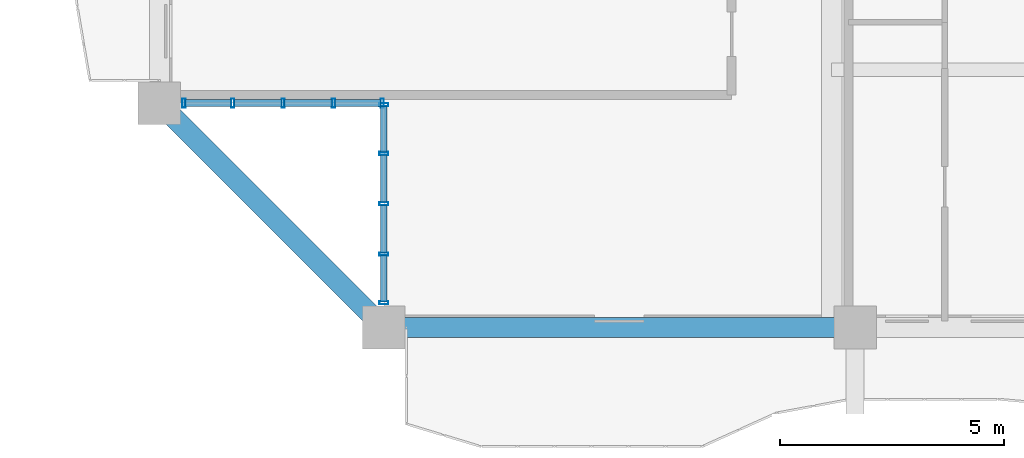
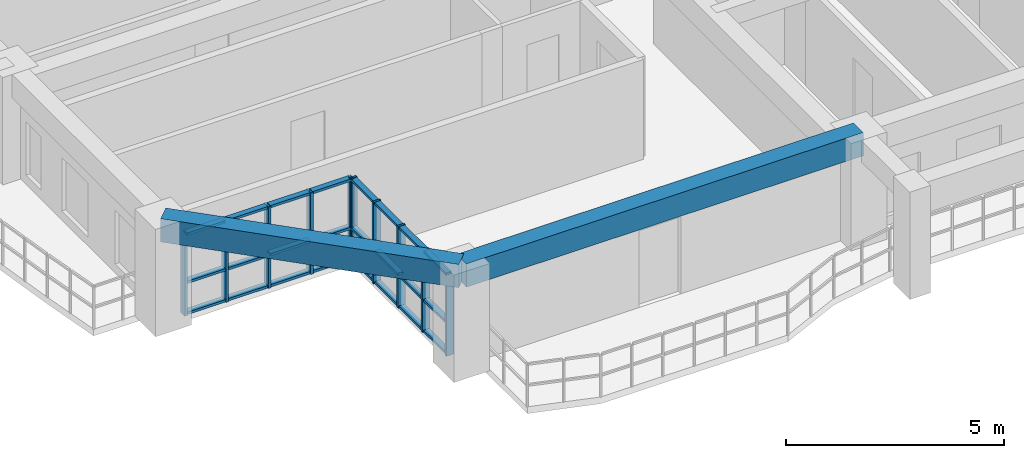
# One storey, part 2 of 24: 34 members, 2 beams, 2 elements without a shape of their own.
"""IFC4 building model written with IfcOpenShell, lengths in metres."""

from ifc_helpers import new_model, si_unit, direction, frame, origin, origin_2d, place, context, subcontext, project, spatial, rectangle, hollow_rectangle, extrude, source, transform, mapped, material, layer, layer_set, material_profile, profile_set, type_object, element, aggregate, save


model = new_model("IFC4")

# Units and contexts
model_context = context("Model", 3, precision=1e-05, world=origin(), true_north=direction((0.0, 1.0)))
body_context = subcontext(model_context, "Body", "Model", "MODEL_VIEW")
ifc_project = project(units=[si_unit("LENGTHUNIT", "METRE"), si_unit("AREAUNIT", "SQUARE_METRE"), si_unit("VOLUMEUNIT", "CUBIC_METRE"), si_unit("PLANEANGLEUNIT", "RADIAN"), si_unit("MASSUNIT", "GRAM", prefix="KILO")], contexts=[model_context])

# Site, building, storey
site_placement = place(None, origin())
site = spatial("IfcSite", under=ifc_project, at=site_placement, CompositionType="ELEMENT")
building_placement = place(site_placement, origin())
building = spatial("IfcBuilding", under=site, at=building_placement, Name="Saelheon Loggia Tower", CompositionType="ELEMENT")
storey_placement = place(building_placement, frame((0.0, 0.0, 166.0)))
storey = spatial("IfcBuildingStorey", under=building, at=storey_placement, Name="L52", CompositionType="ELEMENT", Elevation=166.0)

# Beams
ifc_material_1 = material(Name="Concrete C40/50", Category="concrete")
ifc_material_profile_1 = material_profile(ifc_material_1, rectangle(XDim=0.449951171875, YDim=0.64990234375, at=origin_2d()), Name="RC-450x650")
ifc_profile_set_1 = profile_set([ifc_material_profile_1], Name="Concrete C40/50")
beam_type = type_object("IfcBeamType", Name="Beam_PerimTower_RC450x650", PredefinedType="BEAM", material=ifc_profile_set_1)
shared_shape_1 = source(origin(), body_context, "Body", "SweptSolid", [
    extrude(rectangle(XDim=0.449951171875, YDim=0.64990234375, at=origin_2d()), origin(), (0.0, 0.0, 1.0), 10.5),
])
beam_1_placement = place(storey_placement, frame((21.0, 6.0, 2.675048828125), z_axis=(1.0, 0.0, 0.0), x_axis=(0.0, 1.0, 0.0)))
element("IfcBeam", 1, at=beam_1_placement, inside=storey, type_object=beam_type, Name="L52 Perimeter Frame Girder 01", PredefinedType="BEAM", context=body_context, shape_type="MappedRepresentation", body=[
    mapped(shared_shape_1, transform((0.0, 0.0, 0.0), scale=1.0)),
])
shared_shape_2 = source(origin(), body_context, "Body", "SweptSolid", [
    extrude(rectangle(XDim=0.449951171875, YDim=0.64990234375, at=origin_2d()), origin(), (0.0, 0.0, 1.0), 7.071044921875),
])
beam_2_placement = place(storey_placement, frame((16.0, 11.0, 2.675048828125), z_axis=(0.707106781187, -0.707106781187, 0.0), x_axis=(0.707106781187, 0.707106781187, 0.0)))
element("IfcBeam", 2, at=beam_2_placement, inside=storey, type_object=beam_type, Name="L52 Perimeter Frame Girder 16", PredefinedType="BEAM", context=body_context, shape_type="MappedRepresentation", body=[
    mapped(shared_shape_2, transform((0.0, 0.0, 0.0), scale=1.0)),
])

# Curtain wall, members
ifc_material_2 = material(Name="High-Wind Aluminium and Triple Laminated Glass", Category="aluminium")
ifc_layer = layer(ifc_material_2, 0.179931640625)
ifc_layer_set = layer_set([ifc_layer], Name="High-Wind Aluminium and Triple Laminated Glass")
curtain_wall_type = type_object("IfcCurtainWallType", Name="CW_TowerLoggiaHigh", PredefinedType="NOTDEFINED", material=ifc_layer_set)
curtain_wall_1_placement = place(storey_placement, origin())
curtain_wall_1 = element("IfcCurtainWall", 3, at=curtain_wall_1_placement, inside=storey, type_object=curtain_wall_type, Name="L52 Corner Notch Glazing SW1", PredefinedType="NOTDEFINED")
ifc_material_3 = material(Name="Anodised Aluminium 6063-T6", Category="aluminium")
ifc_material_profile_2 = material_profile(ifc_material_3, hollow_rectangle(XDim=0.070068359375, YDim=0.199951171875, WallThickness=0.0048828125, at=origin_2d()), Name="RHS-200x70x5")
ifc_profile_set_2 = profile_set([ifc_material_profile_2], Name="Anodised Aluminium 6063-T6")
member_type_1 = type_object("IfcMemberType", Name="CW_TowerLoggiaHigh_Mullion", PredefinedType="MULLION", material=ifc_profile_set_2)
shared_shape_3 = source(origin(), body_context, "Body", "SweptSolid", [
    extrude(hollow_rectangle(XDim=0.070068359375, YDim=0.199951171875, WallThickness=0.0048828125, at=origin_2d()), origin(), (0.0, 0.0, 1.0), 2.280029296875),
])
member_1_placement = place(storey_placement, frame((21.0, 6.550048828125, 0.0), z_axis=(0.0, 0.0, 1.0), x_axis=(0.0, 1.0, 0.0)))
member_1 = element("IfcMember", 4, at=member_1_placement, type_object=member_type_1, Name="CW4 mullion 1", PredefinedType="MULLION", context=body_context, shape_type="MappedRepresentation", body=[
    mapped(shared_shape_3, transform((0.0, 0.0, 0.0), scale=1.0)),
])
member_2_placement = place(storey_placement, frame((21.0, 7.63623046875, 0.0), z_axis=(0.0, 0.0, 1.0), x_axis=(0.0, 1.0, 0.0)))
member_2 = element("IfcMember", 5, at=member_2_placement, type_object=member_type_1, Name="CW4 mullion 2", PredefinedType="MULLION", context=body_context, shape_type="MappedRepresentation", body=[
    mapped(shared_shape_3, transform((0.0, 0.0, 0.0), scale=1.0)),
])
member_3_placement = place(storey_placement, frame((21.0, 8.757568359375, 0.0), z_axis=(0.0, 0.0, 1.0), x_axis=(0.0, 1.0, 0.0)))
member_3 = element("IfcMember", 6, at=member_3_placement, type_object=member_type_1, Name="CW4 mullion 3", PredefinedType="MULLION", context=body_context, shape_type="MappedRepresentation", body=[
    mapped(shared_shape_3, transform((0.0, 0.0, 0.0), scale=1.0)),
])
member_4_placement = place(storey_placement, frame((21.0, 9.878662109375, 0.0), z_axis=(0.0, 0.0, 1.0), x_axis=(0.0, 1.0, 0.0)))
member_4 = element("IfcMember", 7, at=member_4_placement, type_object=member_type_1, Name="CW4 mullion 4", PredefinedType="MULLION", context=body_context, shape_type="MappedRepresentation", body=[
    mapped(shared_shape_3, transform((0.0, 0.0, 0.0), scale=1.0)),
])
member_5_placement = place(storey_placement, frame((21.0, 10.965087890625, 0.0), z_axis=(0.0, 0.0, 1.0), x_axis=(0.0, 1.0, 0.0)))
member_5 = element("IfcMember", 8, at=member_5_placement, type_object=member_type_1, Name="CW4 mullion 5", PredefinedType="MULLION", context=body_context, shape_type="MappedRepresentation", body=[
    mapped(shared_shape_3, transform((0.0, 0.0, 0.0), scale=1.0)),
])

curtain_wall_2_placement = place(storey_placement, origin())
curtain_wall_2 = element("IfcCurtainWall", 9, at=curtain_wall_2_placement, inside=storey, type_object=curtain_wall_type, Name="L52 Corner Notch Glazing SW2", PredefinedType="NOTDEFINED")
member_6_placement = place(storey_placement, frame((16.550048828125, 11.0, 0.0), z_axis=(0.0, 0.0, 1.0), x_axis=(1.0, 0.0, 0.0)))
member_6 = element("IfcMember", 10, at=member_6_placement, type_object=member_type_1, Name="CW4 mullion 1", PredefinedType="MULLION", context=body_context, shape_type="MappedRepresentation", body=[
    mapped(shared_shape_3, transform((0.0, 0.0, 0.0), scale=1.0)),
])
member_7_placement = place(storey_placement, frame((17.63623046875, 11.0, 0.0), z_axis=(0.0, 0.0, 1.0), x_axis=(1.0, 0.0, 0.0)))
member_7 = element("IfcMember", 11, at=member_7_placement, type_object=member_type_1, Name="CW4 mullion 2", PredefinedType="MULLION", context=body_context, shape_type="MappedRepresentation", body=[
    mapped(shared_shape_3, transform((0.0, 0.0, 0.0), scale=1.0)),
])
member_8_placement = place(storey_placement, frame((18.757568359375, 11.0, 0.0), z_axis=(0.0, 0.0, 1.0), x_axis=(1.0, 0.0, 0.0)))
member_8 = element("IfcMember", 12, at=member_8_placement, type_object=member_type_1, Name="CW4 mullion 3", PredefinedType="MULLION", context=body_context, shape_type="MappedRepresentation", body=[
    mapped(shared_shape_3, transform((0.0, 0.0, 0.0), scale=1.0)),
])
member_9_placement = place(storey_placement, frame((19.878662109375, 11.0, 0.0), z_axis=(0.0, 0.0, 1.0), x_axis=(1.0, 0.0, 0.0)))
member_9 = element("IfcMember", 13, at=member_9_placement, type_object=member_type_1, Name="CW4 mullion 4", PredefinedType="MULLION", context=body_context, shape_type="MappedRepresentation", body=[
    mapped(shared_shape_3, transform((0.0, 0.0, 0.0), scale=1.0)),
])
member_10_placement = place(storey_placement, frame((20.965087890625, 11.0, 0.0), z_axis=(0.0, 0.0, 1.0), x_axis=(1.0, 0.0, 0.0)))
member_10 = element("IfcMember", 14, at=member_10_placement, type_object=member_type_1, Name="CW4 mullion 5", PredefinedType="MULLION", context=body_context, shape_type="MappedRepresentation", body=[
    mapped(shared_shape_3, transform((0.0, 0.0, 0.0), scale=1.0)),
])

# Member
ifc_material_profile_3 = material_profile(ifc_material_3, hollow_rectangle(XDim=0.070068359375, YDim=0.14990234375, WallThickness=0.0048828125, at=origin_2d()), Name="RHS-150x70x5")
ifc_profile_set_3 = profile_set([ifc_material_profile_3], Name="Anodised Aluminium 6063-T6")
member_type_2 = type_object("IfcMemberType", Name="CW_TowerLoggiaHigh_Transom", PredefinedType="USERDEFINED", material=ifc_profile_set_3)
shared_shape_4 = source(origin(), body_context, "Body", "SweptSolid", [
    extrude(hollow_rectangle(XDim=0.070068359375, YDim=0.14990234375, WallThickness=0.0048828125, at=origin_2d()), origin(), (0.0, 0.0, 1.0), 1.016357421875),
])
member_11_placement = place(storey_placement, frame((21.0, 6.5849609375, 0.034912109375), z_axis=(0.0, 1.0, 0.0), x_axis=(0.0, 0.0, 1.0)))
member_11 = element("IfcMember", 15, at=member_11_placement, type_object=member_type_2, Name="CW4 transom 1.1", ObjectType="TRANSOM", PredefinedType="USERDEFINED", context=body_context, shape_type="MappedRepresentation", body=[
    mapped(shared_shape_4, transform((0.0, 0.0, 0.0), scale=1.0)),
])

member_12_placement = place(storey_placement, frame((21.0, 6.5849609375, 0.89990234375), z_axis=(0.0, 1.0, 0.0), x_axis=(0.0, 0.0, 1.0)))
member_12 = element("IfcMember", 16, at=member_12_placement, type_object=member_type_2, Name="CW4 transom 1.2", ObjectType="TRANSOM", PredefinedType="USERDEFINED", context=body_context, shape_type="MappedRepresentation", body=[
    mapped(shared_shape_4, transform((0.0, 0.0, 0.0), scale=1.0)),
])

member_13_placement = place(storey_placement, frame((21.0, 6.5849609375, 2.2451171875), z_axis=(0.0, 1.0, 0.0), x_axis=(0.0, 0.0, 1.0)))
member_13 = element("IfcMember", 17, at=member_13_placement, type_object=member_type_2, Name="CW4 transom 1.3", ObjectType="TRANSOM", PredefinedType="USERDEFINED", context=body_context, shape_type="MappedRepresentation", body=[
    mapped(shared_shape_4, transform((0.0, 0.0, 0.0), scale=1.0)),
])

member_14_placement = place(storey_placement, frame((16.5849609375, 11.0, 0.034912109375), z_axis=(1.0, 0.0, 0.0), x_axis=(0.0, 0.0, 1.0)))
member_14 = element("IfcMember", 18, at=member_14_placement, type_object=member_type_2, Name="CW4 transom 1.1", ObjectType="TRANSOM", PredefinedType="USERDEFINED", context=body_context, shape_type="MappedRepresentation", body=[
    mapped(shared_shape_4, transform((0.0, 0.0, 0.0), scale=1.0)),
])

member_15_placement = place(storey_placement, frame((16.5849609375, 11.0, 0.89990234375), z_axis=(1.0, 0.0, 0.0), x_axis=(0.0, 0.0, 1.0)))
member_15 = element("IfcMember", 19, at=member_15_placement, type_object=member_type_2, Name="CW4 transom 1.2", ObjectType="TRANSOM", PredefinedType="USERDEFINED", context=body_context, shape_type="MappedRepresentation", body=[
    mapped(shared_shape_4, transform((0.0, 0.0, 0.0), scale=1.0)),
])

member_16_placement = place(storey_placement, frame((16.5849609375, 11.0, 2.2451171875), z_axis=(1.0, 0.0, 0.0), x_axis=(0.0, 0.0, 1.0)))
member_16 = element("IfcMember", 20, at=member_16_placement, type_object=member_type_2, Name="CW4 transom 1.3", ObjectType="TRANSOM", PredefinedType="USERDEFINED", context=body_context, shape_type="MappedRepresentation", body=[
    mapped(shared_shape_4, transform((0.0, 0.0, 0.0), scale=1.0)),
])

shared_shape_5 = source(origin(), body_context, "Body", "SweptSolid", [
    extrude(hollow_rectangle(XDim=0.070068359375, YDim=0.14990234375, WallThickness=0.0048828125, at=origin_2d()), origin(), (0.0, 0.0, 1.0), 1.05126953125),
])
member_17_placement = place(storey_placement, frame((21.0, 7.671142578125, 0.034912109375), z_axis=(0.0, 1.0, 0.0), x_axis=(0.0, 0.0, 1.0)))
member_17 = element("IfcMember", 21, at=member_17_placement, type_object=member_type_2, Name="CW4 transom 2.1", ObjectType="TRANSOM", PredefinedType="USERDEFINED", context=body_context, shape_type="MappedRepresentation", body=[
    mapped(shared_shape_5, transform((0.0, 0.0, 0.0), scale=1.0)),
])

member_18_placement = place(storey_placement, frame((21.0, 7.671142578125, 0.89990234375), z_axis=(0.0, 1.0, 0.0), x_axis=(0.0, 0.0, 1.0)))
member_18 = element("IfcMember", 22, at=member_18_placement, type_object=member_type_2, Name="CW4 transom 2.2", ObjectType="TRANSOM", PredefinedType="USERDEFINED", context=body_context, shape_type="MappedRepresentation", body=[
    mapped(shared_shape_5, transform((0.0, 0.0, 0.0), scale=1.0)),
])

member_19_placement = place(storey_placement, frame((21.0, 7.671142578125, 2.2451171875), z_axis=(0.0, 1.0, 0.0), x_axis=(0.0, 0.0, 1.0)))
member_19 = element("IfcMember", 23, at=member_19_placement, type_object=member_type_2, Name="CW4 transom 2.3", ObjectType="TRANSOM", PredefinedType="USERDEFINED", context=body_context, shape_type="MappedRepresentation", body=[
    mapped(shared_shape_5, transform((0.0, 0.0, 0.0), scale=1.0)),
])

member_20_placement = place(storey_placement, frame((21.0, 8.79248046875, 0.034912109375), z_axis=(0.0, 1.0, 0.0), x_axis=(0.0, 0.0, 1.0)))
member_20 = element("IfcMember", 24, at=member_20_placement, type_object=member_type_2, Name="CW4 transom 3.1", ObjectType="TRANSOM", PredefinedType="USERDEFINED", context=body_context, shape_type="MappedRepresentation", body=[
    mapped(shared_shape_5, transform((0.0, 0.0, 0.0), scale=1.0)),
])

member_21_placement = place(storey_placement, frame((21.0, 8.79248046875, 0.89990234375), z_axis=(0.0, 1.0, 0.0), x_axis=(0.0, 0.0, 1.0)))
member_21 = element("IfcMember", 25, at=member_21_placement, type_object=member_type_2, Name="CW4 transom 3.2", ObjectType="TRANSOM", PredefinedType="USERDEFINED", context=body_context, shape_type="MappedRepresentation", body=[
    mapped(shared_shape_5, transform((0.0, 0.0, 0.0), scale=1.0)),
])

member_22_placement = place(storey_placement, frame((21.0, 8.79248046875, 2.2451171875), z_axis=(0.0, 1.0, 0.0), x_axis=(0.0, 0.0, 1.0)))
member_22 = element("IfcMember", 26, at=member_22_placement, type_object=member_type_2, Name="CW4 transom 3.3", ObjectType="TRANSOM", PredefinedType="USERDEFINED", context=body_context, shape_type="MappedRepresentation", body=[
    mapped(shared_shape_5, transform((0.0, 0.0, 0.0), scale=1.0)),
])

member_23_placement = place(storey_placement, frame((17.671142578125, 11.0, 0.034912109375), z_axis=(1.0, 0.0, 0.0), x_axis=(0.0, 0.0, 1.0)))
member_23 = element("IfcMember", 27, at=member_23_placement, type_object=member_type_2, Name="CW4 transom 2.1", ObjectType="TRANSOM", PredefinedType="USERDEFINED", context=body_context, shape_type="MappedRepresentation", body=[
    mapped(shared_shape_5, transform((0.0, 0.0, 0.0), scale=1.0)),
])

member_24_placement = place(storey_placement, frame((17.671142578125, 11.0, 0.89990234375), z_axis=(1.0, 0.0, 0.0), x_axis=(0.0, 0.0, 1.0)))
member_24 = element("IfcMember", 28, at=member_24_placement, type_object=member_type_2, Name="CW4 transom 2.2", ObjectType="TRANSOM", PredefinedType="USERDEFINED", context=body_context, shape_type="MappedRepresentation", body=[
    mapped(shared_shape_5, transform((0.0, 0.0, 0.0), scale=1.0)),
])

member_25_placement = place(storey_placement, frame((17.671142578125, 11.0, 2.2451171875), z_axis=(1.0, 0.0, 0.0), x_axis=(0.0, 0.0, 1.0)))
member_25 = element("IfcMember", 29, at=member_25_placement, type_object=member_type_2, Name="CW4 transom 2.3", ObjectType="TRANSOM", PredefinedType="USERDEFINED", context=body_context, shape_type="MappedRepresentation", body=[
    mapped(shared_shape_5, transform((0.0, 0.0, 0.0), scale=1.0)),
])

member_26_placement = place(storey_placement, frame((18.79248046875, 11.0, 0.034912109375), z_axis=(1.0, 0.0, 0.0), x_axis=(0.0, 0.0, 1.0)))
member_26 = element("IfcMember", 30, at=member_26_placement, type_object=member_type_2, Name="CW4 transom 3.1", ObjectType="TRANSOM", PredefinedType="USERDEFINED", context=body_context, shape_type="MappedRepresentation", body=[
    mapped(shared_shape_5, transform((0.0, 0.0, 0.0), scale=1.0)),
])

member_27_placement = place(storey_placement, frame((18.79248046875, 11.0, 0.89990234375), z_axis=(1.0, 0.0, 0.0), x_axis=(0.0, 0.0, 1.0)))
member_27 = element("IfcMember", 31, at=member_27_placement, type_object=member_type_2, Name="CW4 transom 3.2", ObjectType="TRANSOM", PredefinedType="USERDEFINED", context=body_context, shape_type="MappedRepresentation", body=[
    mapped(shared_shape_5, transform((0.0, 0.0, 0.0), scale=1.0)),
])

member_28_placement = place(storey_placement, frame((18.79248046875, 11.0, 2.2451171875), z_axis=(1.0, 0.0, 0.0), x_axis=(0.0, 0.0, 1.0)))
member_28 = element("IfcMember", 32, at=member_28_placement, type_object=member_type_2, Name="CW4 transom 3.3", ObjectType="TRANSOM", PredefinedType="USERDEFINED", context=body_context, shape_type="MappedRepresentation", body=[
    mapped(shared_shape_5, transform((0.0, 0.0, 0.0), scale=1.0)),
])

shared_shape_6 = source(origin(), body_context, "Body", "SweptSolid", [
    extrude(hollow_rectangle(XDim=0.070068359375, YDim=0.14990234375, WallThickness=0.0048828125, at=origin_2d()), origin(), (0.0, 0.0, 1.0), 1.01611328125),
])
member_29_placement = place(storey_placement, frame((21.0, 9.913818359375, 0.034912109375), z_axis=(0.0, 1.0, 0.0), x_axis=(0.0, 0.0, 1.0)))
member_29 = element("IfcMember", 33, at=member_29_placement, type_object=member_type_2, Name="CW4 transom 4.1", ObjectType="TRANSOM", PredefinedType="USERDEFINED", context=body_context, shape_type="MappedRepresentation", body=[
    mapped(shared_shape_6, transform((0.0, 0.0, 0.0), scale=1.0)),
])

member_30_placement = place(storey_placement, frame((21.0, 9.913818359375, 0.89990234375), z_axis=(0.0, 1.0, 0.0), x_axis=(0.0, 0.0, 1.0)))
member_30 = element("IfcMember", 34, at=member_30_placement, type_object=member_type_2, Name="CW4 transom 4.2", ObjectType="TRANSOM", PredefinedType="USERDEFINED", context=body_context, shape_type="MappedRepresentation", body=[
    mapped(shared_shape_6, transform((0.0, 0.0, 0.0), scale=1.0)),
])

member_31_placement = place(storey_placement, frame((21.0, 9.913818359375, 2.2451171875), z_axis=(0.0, 1.0, 0.0), x_axis=(0.0, 0.0, 1.0)))
member_31 = element("IfcMember", 35, at=member_31_placement, type_object=member_type_2, Name="CW4 transom 4.3", ObjectType="TRANSOM", PredefinedType="USERDEFINED", context=body_context, shape_type="MappedRepresentation", body=[
    mapped(shared_shape_6, transform((0.0, 0.0, 0.0), scale=1.0)),
])

aggregate(curtain_wall_1, [member_1, member_2, member_3, member_4, member_5, member_11, member_12, member_13, member_17, member_18, member_19, member_20, member_21, member_22, member_29, member_30, member_31])

member_32_placement = place(storey_placement, frame((19.913818359375, 11.0, 0.034912109375), z_axis=(1.0, 0.0, 0.0), x_axis=(0.0, 0.0, 1.0)))
member_32 = element("IfcMember", 36, at=member_32_placement, type_object=member_type_2, Name="CW4 transom 4.1", ObjectType="TRANSOM", PredefinedType="USERDEFINED", context=body_context, shape_type="MappedRepresentation", body=[
    mapped(shared_shape_6, transform((0.0, 0.0, 0.0), scale=1.0)),
])

member_33_placement = place(storey_placement, frame((19.913818359375, 11.0, 0.89990234375), z_axis=(1.0, 0.0, 0.0), x_axis=(0.0, 0.0, 1.0)))
member_33 = element("IfcMember", 37, at=member_33_placement, type_object=member_type_2, Name="CW4 transom 4.2", ObjectType="TRANSOM", PredefinedType="USERDEFINED", context=body_context, shape_type="MappedRepresentation", body=[
    mapped(shared_shape_6, transform((0.0, 0.0, 0.0), scale=1.0)),
])

member_34_placement = place(storey_placement, frame((19.913818359375, 11.0, 2.2451171875), z_axis=(1.0, 0.0, 0.0), x_axis=(0.0, 0.0, 1.0)))
member_34 = element("IfcMember", 38, at=member_34_placement, type_object=member_type_2, Name="CW4 transom 4.3", ObjectType="TRANSOM", PredefinedType="USERDEFINED", context=body_context, shape_type="MappedRepresentation", body=[
    mapped(shared_shape_6, transform((0.0, 0.0, 0.0), scale=1.0)),
])

aggregate(curtain_wall_2, [member_6, member_7, member_8, member_9, member_10, member_14, member_15, member_16, member_23, member_24, member_25, member_26, member_27, member_28, member_32, member_33, member_34])

save(model, "model.ifc")
